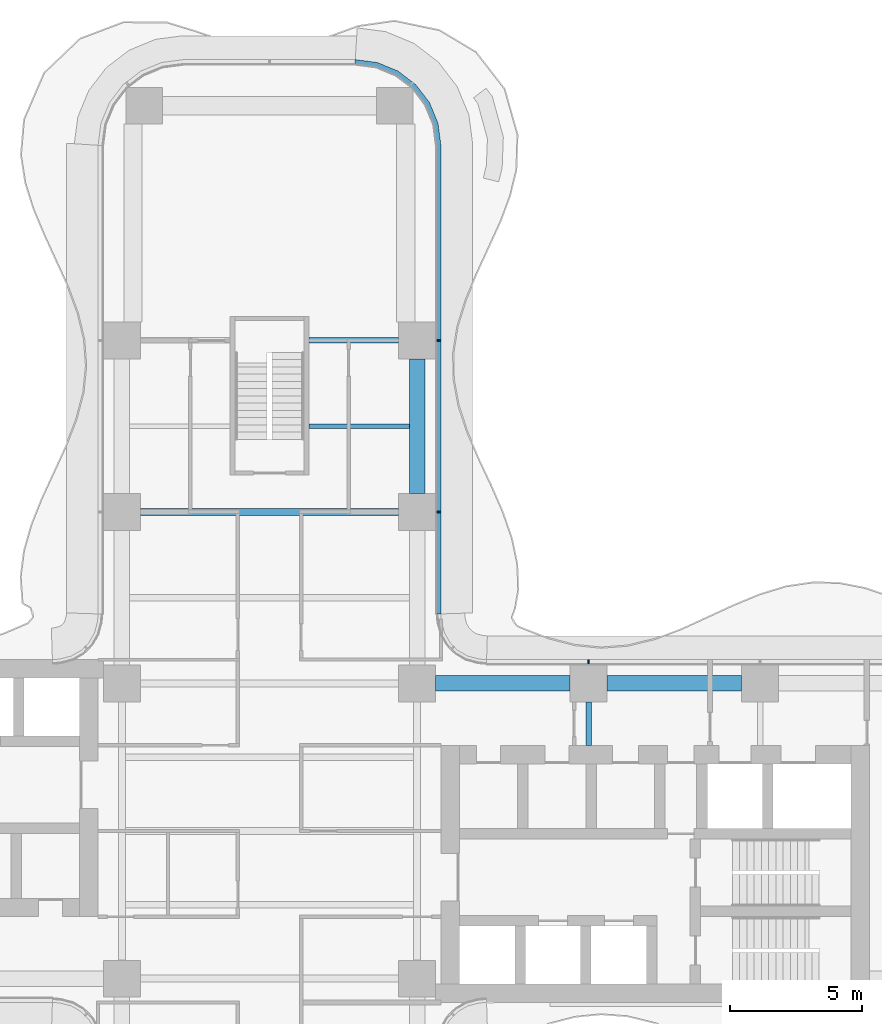
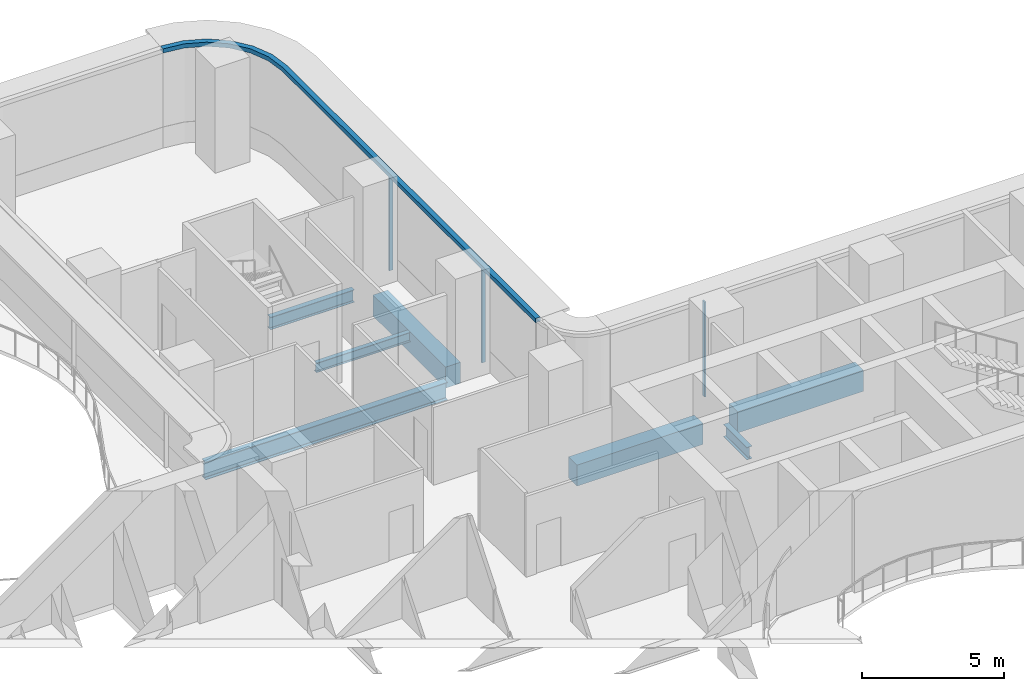
# One storey, part 10 of 22: 7 beams, 4 members, 2 elements without a shape of their own.
"""IFC4 building model written with IfcOpenShell, lengths in metres."""

from ifc_helpers import new_model, si_unit, direction, frame, origin, origin_2d, place, context, subcontext, project, spatial, polyline, rectangle, i_section, outline, extrude, source, transform, mapped, material, layer, layer_set, material_profile, profile_set, type_object, element, aggregate, save


model = new_model("IFC4")

# Units and contexts
model_context = context("Model", 3, precision=1e-05, world=origin(), true_north=direction((0.0, 1.0)))
body_context = subcontext(model_context, "Body", "Model", "MODEL_VIEW")
ifc_project = project(units=[si_unit("LENGTHUNIT", "METRE"), si_unit("AREAUNIT", "SQUARE_METRE"), si_unit("VOLUMEUNIT", "CUBIC_METRE"), si_unit("PLANEANGLEUNIT", "RADIAN"), si_unit("MASSUNIT", "GRAM", prefix="KILO")], contexts=[model_context])

# Site, building, storey
site_placement = place(None, origin())
site = spatial("IfcSite", under=ifc_project, at=site_placement, CompositionType="ELEMENT")
building_placement = place(site_placement, origin())
building = spatial("IfcBuilding", under=site, at=building_placement, Name="Trellis Farm Tower", CompositionType="ELEMENT")
storey_placement = place(building_placement, frame((0.0, 0.0, 43.0)))
storey = spatial("IfcBuildingStorey", under=building, at=storey_placement, Name="L08", CompositionType="ELEMENT", Elevation=43.0)

# Beams
ifc_material_1 = material(Name="Steel S355", Category="steel")
ifc_material_profile_1 = material_profile(ifc_material_1, i_section(OverallWidth=0.209228515625, OverallDepth=0.533203125, WebThickness=0.010009765625, FlangeThickness=0.015625, FilletRadius=0.0126953125, at=origin_2d()), Name="UB 533x210x92")
ifc_profile_set_1 = profile_set([ifc_material_profile_1], Name="Steel S355")
beam_type_1 = type_object("IfcBeamType", Name="UB 533x210x92", PredefinedType="BEAM", material=ifc_profile_set_1)
shared_shape_1 = source(origin(), body_context, "Body", "SweptSolid", [
    extrude(i_section(OverallWidth=0.209228515625, OverallDepth=0.533203125, WebThickness=0.010009765625, FlangeThickness=0.015625, FilletRadius=0.0126953125, at=origin_2d()), origin(), (0.0, 0.0, 1.0), 3.39990234375),
])
beam_1_placement = place(storey_placement, frame((1.5, 18.60009765625, -0.5166015625), z_axis=(1.0, 0.0, 0.0), x_axis=(0.0, 1.0, 0.0)))
element("IfcBeam", 1, at=beam_1_placement, inside=storey, type_object=beam_type_1, Name="Girder", PredefinedType="BEAM", context=body_context, shape_type="MappedRepresentation", body=[
    mapped(shared_shape_1, transform((0.0, 0.0, 0.0))),
])
ifc_material_2 = material(Name="Concrete C60/75", Category="concrete")
ifc_material_profile_2 = material_profile(ifc_material_2, rectangle(XDim=0.60009765625, YDim=0.89990234375, at=origin_2d()), Name="RC spandrel beam 600x900 C60/75")
ifc_profile_set_2 = profile_set([ifc_material_profile_2], Name="Concrete C60/75")
beam_type_2 = type_object("IfcBeamType", Name="RC spandrel beam 600x900 C60/75", PredefinedType="SPANDREL", material=ifc_profile_set_2)
shared_shape_2 = source(origin(), body_context, "Body", "SweptSolid", [
    extrude(rectangle(XDim=0.60009765625, YDim=0.89990234375, at=origin_2d()), origin(), (0.0, 0.0, 1.0), 5.099853515625),
])
for number, where, z_axis, x_axis, name in (
    (2, (6.300048828125, 5.60009765625, -0.699951171875), (1.0, 0.0, 0.0), (0.0, 1.0, 0.0), "Girder"),
    (3, (12.800048828125, 5.60009765625, -0.699951171875), (1.0, 0.0, 0.0), (0.0, 1.0, 0.0), "Girder"),
    (4, (5.60009765625, 12.800048828125, -0.699951171875), (0.0, 1.0, 0.0), (-1.0, 0.0, 0.0), "Girder"),
):
    element("IfcBeam", number, at=place(storey_placement, frame(where, z_axis=z_axis, x_axis=x_axis)), inside=storey, type_object=beam_type_2, Name=name, PredefinedType="SPANDREL", context=body_context, shape_type="MappedRepresentation", body=[
        mapped(shared_shape_2, transform((0.0, 0.0, 0.0))),
    ])
ifc_material_profile_3 = material_profile(ifc_material_1, i_section(OverallWidth=0.2666015625, OverallDepth=0.76220703125, WebThickness=0.014404296875, FlangeThickness=0.021484375, FilletRadius=0.0166015625, at=origin_2d()), Name="UB 762x267x173")
ifc_profile_set_3 = profile_set([ifc_material_profile_3], Name="Steel S355")
beam_type_3 = type_object("IfcBeamType", Name="UB 762x267x173", PredefinedType="BEAM", material=ifc_profile_set_3)
shared_shape_3 = source(origin(), body_context, "Body", "SweptSolid", [
    extrude(i_section(OverallWidth=0.2666015625, OverallDepth=0.76220703125, WebThickness=0.014404296875, FlangeThickness=0.021484375, FilletRadius=0.0166015625, at=origin_2d()), origin(), (0.0, 0.0, 1.0), 9.7998046875),
])
beam_2_placement = place(storey_placement, frame((-4.89990234375, 12.10009765625, -0.631103515625), z_axis=(1.0, 0.0, 0.0), x_axis=(0.0, 1.0, 0.0)))
element("IfcBeam", 5, at=beam_2_placement, inside=storey, type_object=beam_type_3, Name="Girder", PredefinedType="BEAM", context=body_context, shape_type="MappedRepresentation", body=[
    mapped(shared_shape_3, transform((0.0, 0.0, 0.0))),
])
shared_shape_4 = source(origin(), body_context, "Body", "SweptSolid", [
    extrude(i_section(OverallWidth=0.209228515625, OverallDepth=0.533203125, WebThickness=0.010009765625, FlangeThickness=0.015625, FilletRadius=0.0126953125, at=origin_2d()), origin(), (0.0, 0.0, 1.0), 1.64990234375),
])
beam_3_placement = place(storey_placement, frame((12.10009765625, 3.25, -0.5166015625), z_axis=(0.0, 1.0, 0.0), x_axis=(-1.0, 0.0, 0.0)))
element("IfcBeam", 6, at=beam_3_placement, inside=storey, type_object=beam_type_1, Name="Girder", PredefinedType="BEAM", context=body_context, shape_type="MappedRepresentation", body=[
    mapped(shared_shape_4, transform((0.0, 0.0, 0.0))),
])
ifc_material_profile_4 = material_profile(ifc_material_1, i_section(OverallWidth=0.177978515625, OverallDepth=0.406494140625, WebThickness=0.0078125, FlangeThickness=0.0126953125, FilletRadius=0.01025390625, at=origin_2d()), Name="UB 406x178x60")
ifc_profile_set_4 = profile_set([ifc_material_profile_4], Name="Steel S355")
beam_type_4 = type_object("IfcBeamType", Name="UB 406x178x60 joist", PredefinedType="JOIST", material=ifc_profile_set_4)
shared_shape_5 = source(origin(), body_context, "Body", "SweptSolid", [
    extrude(i_section(OverallWidth=0.177978515625, OverallDepth=0.406494140625, WebThickness=0.0078125, FlangeThickness=0.0126953125, FilletRadius=0.01025390625, at=origin_2d()), origin(), (0.0, 0.0, 1.0), 3.800048828125),
])
beam_4_placement = place(storey_placement, frame((1.5, 15.35009765625, -0.453125), z_axis=(1.0, 0.0, 0.0), x_axis=(0.0, 1.0, 0.0)))
element("IfcBeam", 7, at=beam_4_placement, inside=storey, type_object=beam_type_4, Name="Floor beam", PredefinedType="JOIST", context=body_context, shape_type="MappedRepresentation", body=[
    mapped(shared_shape_5, transform((0.0, 0.0, 0.0))),
])

# Curtain wall, member
ifc_material_3 = material(Name="Aluminium and glass curtain wall", Category="aluminium")
ifc_layer_1 = layer(ifc_material_3, 0.18994140625)
ifc_layer_set_1 = layer_set([ifc_layer_1], Name="RIBBON CURTAIN WALL CW1")
curtain_wall_type = type_object("IfcCurtainWallType", Name="RIBBON CURTAIN WALL CW1", PredefinedType="NOTDEFINED", material=ifc_layer_set_1)
placement = place(storey_placement, origin())
curtain_wall_1 = element("IfcCurtainWall", 8, at=placement, inside=storey, type_object=curtain_wall_type, Name="CW1 008", PredefinedType="NOTDEFINED")
ifc_material_4 = material(Name="Aluminium extrusion 6063-T6", Category="aluminium")
ifc_material_profile_5 = material_profile(ifc_material_4, rectangle(XDim=0.06005859375, YDim=0.14990234375, at=origin_2d()), Name="MULLION 60x150")
ifc_profile_set_5 = profile_set([ifc_material_profile_5], Name="Aluminium extrusion 6063-T6")
member_type_1 = type_object("IfcMemberType", Name="CW1 MULLION 60x150", PredefinedType="MULLION", material=ifc_profile_set_5)
shared_shape_6 = source(origin(), body_context, "Body", "SweptSolid", [
    extrude(rectangle(XDim=0.06005859375, YDim=0.14990234375, at=origin_2d()), origin(), (0.0, 0.0, 1.0), 4.070068359375),
])
member_1_placement = place(storey_placement, frame((12.10009765625, 6.425048828125, 0.0), z_axis=(0.0, 0.0, 1.0), x_axis=(-1.0, 0.0, 0.0)))
member_1 = element("IfcMember", 9, at=member_1_placement, type_object=member_type_1, Name="MU1 008-03", PredefinedType="MULLION", context=body_context, shape_type="MappedRepresentation", body=[
    mapped(shared_shape_6, transform((0.0, 0.0, 0.0))),
])
aggregate(curtain_wall_1, [member_1])

# Curtain wall, members
curtain_wall_2 = element("IfcCurtainWall", 10, at=placement, inside=storey, type_object=curtain_wall_type, Name="CW1 009", PredefinedType="NOTDEFINED")
member_2_placement = place(storey_placement, frame((6.425048828125, 12.10009765625, 0.0), z_axis=(0.0, 0.0, 1.0), x_axis=(0.0, 1.0, 0.0)))
member_2 = element("IfcMember", 11, at=member_2_placement, type_object=member_type_1, Name="MU1 009-01", PredefinedType="MULLION", context=body_context, shape_type="MappedRepresentation", body=[
    mapped(shared_shape_6, transform((0.0, 0.0, 0.0))),
])
member_3_placement = place(storey_placement, frame((6.425048828125, 18.60009765625, 0.0), z_axis=(0.0, 0.0, 1.0), x_axis=(0.0, 1.0, 0.0)))
member_3 = element("IfcMember", 12, at=member_3_placement, type_object=member_type_1, Name="MU1 009-02", PredefinedType="MULLION", context=body_context, shape_type="MappedRepresentation", body=[
    mapped(shared_shape_6, transform((0.0, 0.0, 0.0))),
])
ifc_layer_2 = layer(ifc_material_4, 0.199951171875)
ifc_layer_set_2 = layer_set([ifc_layer_2], Name="Aluminium extrusion 6063-T6")
member_type_2 = type_object("IfcMemberType", Name="CW1 TRANSOM 200x180", PredefinedType="USERDEFINED", material=ifc_layer_set_2)
shared_shape_7 = source(origin(), body_context, "Body", "SweptSolid", [
    extrude(outline(polyline([(6.5, 8.2314453125), (6.5, 26.0), (6.38916015625, 26.841064453125), (6.064697265625, 27.625), (5.548095703125, 28.298095703125), (4.875, 28.814697265625), (4.091064453125, 29.13916015625), (3.25, 29.25), (3.23681640625, 29.050048828125), (4.0390625, 28.9443359375), (4.774169921875, 28.639892578125), (5.405517578125, 28.155517578125), (5.889892578125, 27.524169921875), (6.1943359375, 26.7890625), (6.300048828125, 25.98681640625), (6.300048828125, 8.224853515625), (6.5, 8.2314453125)])), origin(), (0.0, 0.0, 1.0), 0.179931640625),
])
member_4_placement = place(storey_placement, frame((0.0, 0.0, 4.070068359375)))
member_4 = element("IfcMember", 13, at=member_4_placement, type_object=member_type_2, Name="TR1 009", ObjectType="TRANSOM", PredefinedType="USERDEFINED", context=body_context, shape_type="MappedRepresentation", body=[
    mapped(shared_shape_7, transform((0.0, 0.0, 0.0))),
])
aggregate(curtain_wall_2, [member_2, member_3, member_4])

save(model, "model.ifc")
